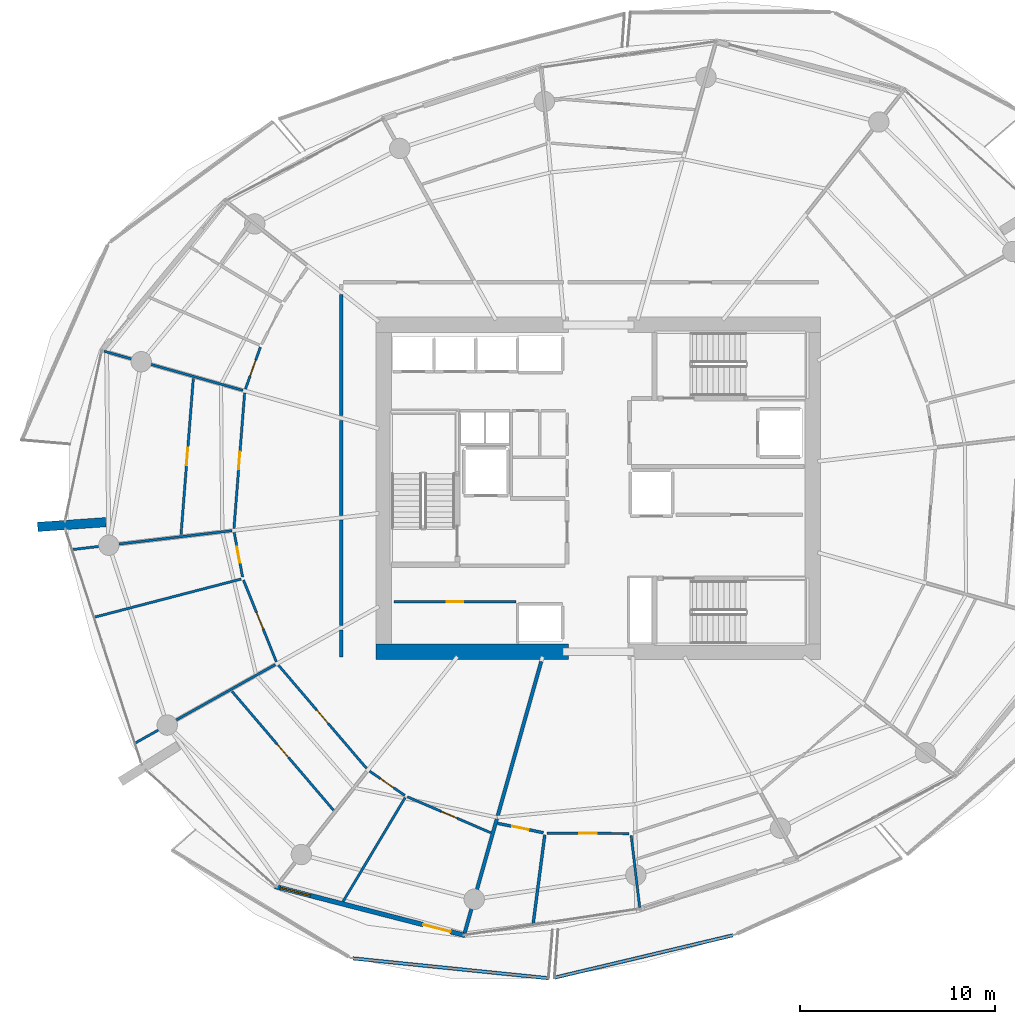
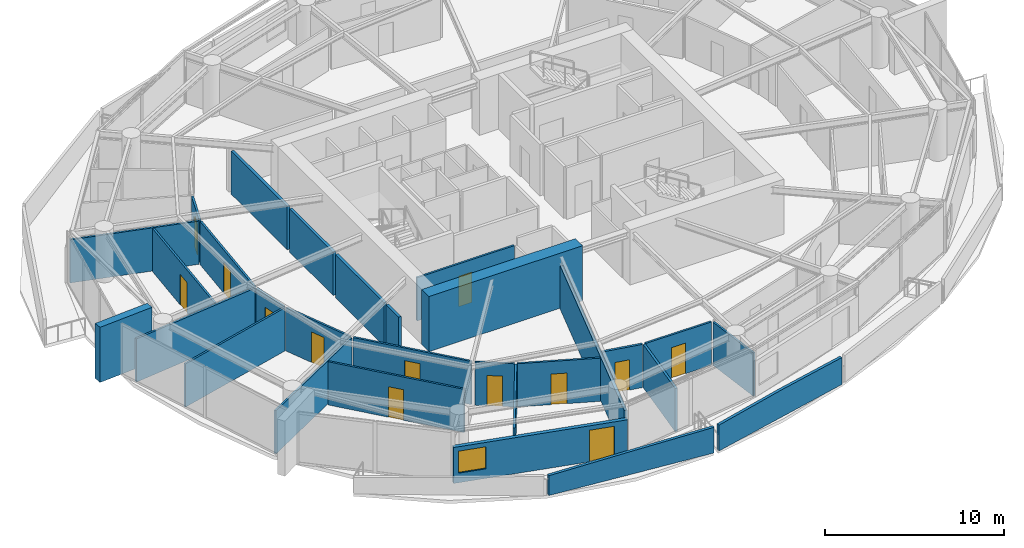
# One storey, part 11 of 20: 29 walls, 13 doors, 1 window, 14 openings.
"""IFC4 building model written with IfcOpenShell, lengths in metres."""

from ifc_helpers import new_model, si_unit, direction, frame, frame_2d, origin, place, context, subcontext, project, spatial, polyline, rectangle, outline, extrude, material, layer, layer_set, type_object, element, fill, save


model = new_model("IFC4")

# Units and contexts
model_context = context("Model", 3, precision=1e-05, world=origin(), true_north=direction((0.0, 1.0)))
body_context = subcontext(model_context, "Body", "Model", "MODEL_VIEW")
ifc_project = project(units=[si_unit("LENGTHUNIT", "METRE"), si_unit("AREAUNIT", "SQUARE_METRE"), si_unit("VOLUMEUNIT", "CUBIC_METRE"), si_unit("PLANEANGLEUNIT", "RADIAN"), si_unit("MASSUNIT", "GRAM", prefix="KILO")], contexts=[model_context])

# Site, building, storey
site_placement = place(None, origin())
site = spatial("IfcSite", under=ifc_project, at=site_placement, CompositionType="ELEMENT")
building_placement = place(site_placement, origin())
building = spatial("IfcBuilding", under=site, at=building_placement, Name="Kazma Halo Residences", CompositionType="ELEMENT")
storey_placement = place(building_placement, frame((0.0, 0.0, 169.050048828125)))
storey = spatial("IfcBuildingStorey", under=building, at=storey_placement, Name="L42", CompositionType="ELEMENT", Elevation=169.050048828125)

# Walls
ifc_material_1 = material(Name="White Concrete C50/60 Balustrade", Category="concrete")
ifc_layer_1 = layer(ifc_material_1, 0.179931640625)
ifc_layer_set_1 = layer_set([ifc_layer_1], Name="White Concrete C50/60 Balustrade")
wall_type_1 = type_object("IfcWallType", Name="WL-BAL-WAVE-180", PredefinedType="PARAPET", material=ifc_layer_set_1)
wall_1_placement = place(storey_placement, frame((35.814697265625, 17.83837890625, 0.0), z_axis=(0.0, 0.0, 1.0), x_axis=(0.994889887917, -0.100965889886, 0.0)))
element("IfcWall", 1, at=wall_1_placement, inside=storey, type_object=wall_type_1, Name="L42 white wave balustrade wall SW.2", PredefinedType="PARAPET", context=body_context, shape_type="SweptSolid", body=[
    extrude(outline(polyline([(0.0, 0.0), (10.10009765625, 0.0), (10.10009765625, 1.7470703125), (5.050048828125, 1.56201171875), (0.0, 1.347900390625), (0.0, 0.0)])), frame((0.0, 0.08984375, 0.0), z_axis=(0.0, -1.0, 0.0), x_axis=(1.0, 0.0, 0.0)), (0.0, 0.0, 1.0), 0.179931640625),
])
wall_2_placement = place(storey_placement, frame((46.175048828125, 16.849365234375, 0.0), z_axis=(0.0, 0.0, 1.0), x_axis=(0.972947039014, 0.231028265098, 0.0)))
element("IfcWall", 2, at=wall_2_placement, inside=storey, type_object=wall_type_1, Name="L42 white wave balustrade wall SSE.1", PredefinedType="PARAPET", context=body_context, shape_type="SweptSolid", body=[
    extrude(outline(polyline([(0.0, 0.0), (9.4189453125, 0.0), (9.418701171875, 1.83203125), (4.70947265625, 1.85302734375), (0.0, 1.755859375), (0.0, 0.0)])), frame((0.0, 0.08984375, 0.0), z_axis=(0.0, -1.0, 0.0), x_axis=(1.0, 0.0, 0.0)), (0.0, 0.0, 1.0), 0.179931640625),
])
ifc_material_2 = material(Name="Pale Concrete C60/75", Category="concrete")
ifc_layer_2 = layer(ifc_material_2, 0.47998046875)
ifc_layer_set_2 = layer_set([ifc_layer_2], Name="Pale Concrete C60/75")
wall_type_2 = type_object("IfcWallType", Name="WL-BLADE-480", PredefinedType="SOLIDWALL", material=ifc_layer_set_2)
wall_3_placement = place(storey_placement, frame((23.10302734375, 40.259033203125, 0.0), z_axis=(0.0, 0.0, 1.0), x_axis=(-0.997564163539, -0.069754853754, 0.0)))
element("IfcWall", 3, at=wall_3_placement, inside=storey, type_object=wall_type_2, Name="L42 pale concrete structural blade fin wall BW-02", PredefinedType="SOLIDWALL", context=body_context, shape_type="SweptSolid", body=[
    extrude(rectangle(XDim=3.5, YDim=0.47998046875, at=frame_2d((1.75, 0.0))), origin(), (0.0, 0.0, 1.0), 3.75),
])
ifc_material_3 = material(Name="Concrete C80/95", Category="concrete")
ifc_layer_3 = layer(ifc_material_3, 0.800048828125)
ifc_layer_set_3 = layer_set([ifc_layer_3], Name="Concrete C80/95")
wall_type_3 = type_object("IfcWallType", Name="WL-CORE-800", PredefinedType="SHEAR", material=ifc_layer_set_3)
wall_4_placement = place(storey_placement, frame((37.0, 33.60009765625, 0.0), z_axis=(0.0, 0.0, 1.0), x_axis=(1.0, 0.0, 0.0)))
element("IfcWall", 4, at=wall_4_placement, inside=storey, type_object=wall_type_3, Name="L42 central core shear wall SW", PredefinedType="SHEAR", context=body_context, shape_type="SweptSolid", body=[
    extrude(rectangle(XDim=9.89990234375, YDim=0.800048828125, at=frame_2d((4.949951171875, 0.0))), origin(), (0.0, 0.0, 1.0), 3.75),
])
ifc_material_4 = material(Name="Acoustic Twin-Stud Gypsum")
ifc_layer_4 = layer(ifc_material_4, 0.179931640625)
ifc_layer_set_4 = layer_set([ifc_layer_4], Name="Acoustic Twin-Stud Gypsum")
wall_type_4 = type_object("IfcWallType", Name="WL-DEM-180", PredefinedType="PARTITIONING", material=ifc_layer_set_4)
wall_5_placement = place(storey_placement, frame((45.48828125, 33.093994140625, 0.0), z_axis=(0.0, 0.0, 1.0), x_axis=(-0.271442952208, -0.962454530717, 0.0)))
element("IfcWall", 5, at=wall_5_placement, inside=storey, type_object=wall_type_4, Name="L42 apartment demising radial wall 10", PredefinedType="PARTITIONING", context=body_context, shape_type="SweptSolid", body=[
    extrude(rectangle(XDim=14.486083984375, YDim=0.179931640625, at=frame_2d((7.2431640625, 0.0))), origin(), (0.0, 0.0, 1.0), 2.93994140625),
])
wall_6_placement = place(storey_placement, frame((35.199951171875, 51.970703125, 0.0), z_axis=(0.0, 0.0, 1.0), x_axis=(0.0, -1.0, 0.0)))
element("IfcWall", 6, at=wall_6_placement, inside=storey, type_object=wall_type_4, Name="L42 Apartment 1 inner wall 5", PredefinedType="PARTITIONING", context=body_context, shape_type="SweptSolid", body=[
    extrude(rectangle(XDim=6.24072265625, YDim=0.179931640625, at=frame_2d((3.120361328125, 0.0))), origin(), (0.0, 0.0, 1.0), 2.93994140625),
])
wall_7_placement = place(storey_placement, frame((35.199951171875, 45.489990234375, 0.0), z_axis=(0.0, 0.0, 1.0), x_axis=(0.0, -1.0, 0.0)))
element("IfcWall", 7, at=wall_7_placement, inside=storey, type_object=wall_type_4, Name="L42 Apartment 1 inner wall 6", PredefinedType="PARTITIONING", context=body_context, shape_type="SweptSolid", body=[
    extrude(rectangle(XDim=4.885009765625, YDim=0.179931640625, at=frame_2d((2.4423828125, 0.0))), origin(), (0.0, 0.0, 1.0), 2.93994140625),
])
wall_8_placement = place(storey_placement, frame((35.199951171875, 40.364990234375, 0.0), z_axis=(0.0, 0.0, 1.0), x_axis=(0.0, -1.0, 0.0)))
element("IfcWall", 8, at=wall_8_placement, inside=storey, type_object=wall_type_4, Name="L42 Apartment 1 inner wall 7", PredefinedType="PARTITIONING", context=body_context, shape_type="SweptSolid", body=[
    extrude(rectangle(XDim=5.413330078125, YDim=0.179931640625, at=frame_2d((2.70654296875, 0.0))), origin(), (0.0, 0.0, 1.0), 2.93994140625),
])
wall_9_placement = place(storey_placement, frame((35.199951171875, 34.711669921875, 0.0), z_axis=(0.0, 0.0, 1.0), x_axis=(0.0, -1.0, 0.0)))
element("IfcWall", 9, at=wall_9_placement, inside=storey, type_object=wall_type_4, Name="L42 Apartment 1 inner wall 8", PredefinedType="PARTITIONING", context=body_context, shape_type="SweptSolid", body=[
    extrude(rectangle(XDim=1.3916015625, YDim=0.179931640625, at=frame_2d((0.69580078125, 0.0))), origin(), (0.0, 0.0, 1.0), 2.93994140625),
])

# Wall, openings, door, window
ifc_material_5 = material(Name="Insulated Pale-Metal Composite Wall")
ifc_layer_5 = layer(ifc_material_5, 0.239990234375)
ifc_layer_set_5 = layer_set([ifc_layer_5], Name="Insulated Pale-Metal Composite Wall")
wall_type_5 = type_object("IfcWallType", Name="WL-EXT-HOST-240", PredefinedType="SOLIDWALL", material=ifc_layer_set_5)
wall_10_placement = place(storey_placement, frame((31.807861328125, 21.5341796875, 0.0), z_axis=(0.0, 0.0, 1.0), x_axis=(0.968379685126, -0.249481032214, 0.0)))
wall_10 = element("IfcWall", 10, at=wall_10_placement, inside=storey, type_object=wall_type_5, Name="L42 exterior terrace-access wall B10", PredefinedType="SOLIDWALL", context=body_context, shape_type="SweptSolid", body=[
    extrude(rectangle(XDim=10.08154296875, YDim=0.239990234375, at=frame_2d((5.040771484375, 0.0))), origin(), (0.0, 0.0, 1.0), 2.449951171875),
])
opening_1_placement = place(wall_10_placement, frame((7.861572265625, 0.0, 0.0)))
opening_1 = element("IfcOpeningElement", 11, at=opening_1_placement, cuts=wall_10, Name="Opening DTR-1600", PredefinedType="OPENING", context=body_context, shape_type="SweptSolid", body=[
    extrude(rectangle(XDim=1.449951171875, YDim=2.14990234375, at=frame_2d((0.72509765625, 1.074951171875))), frame((0.0, 0.1298828125, 0.0), z_axis=(0.0, -1.0, 0.0), x_axis=(1.0, 0.0, 0.0)), (0.0, 0.0, 1.0), 0.260009765625),
])
opening_2_placement = place(wall_10_placement, frame((0.280029296875, 0.0, 0.64990234375)))
opening_2 = element("IfcOpeningElement", 12, at=opening_2_placement, cuts=wall_10, Name="Opening W-1800", PredefinedType="OPENING", context=body_context, shape_type="SweptSolid", body=[
    extrude(rectangle(XDim=1.60009765625, YDim=1.5, at=frame_2d((0.800048828125, 0.75))), frame((0.0, 0.1298828125, 0.0), z_axis=(0.0, -1.0, 0.0), x_axis=(1.0, 0.0, 0.0)), (0.0, 0.0, 1.0), 0.260009765625),
])
ifc_material_6 = material(Name="Aluminium AW-6063 T6 Double-Glazed Terrace Door", Category="aluminium")
door_type_1 = type_object("IfcDoorType", Name="DR-EXT-TERR-1600", OperationType="NOTDEFINED", PredefinedType="DOOR", material=ifc_material_6)
door_1_placement = place(opening_1_placement, origin())
door_1 = element("IfcDoor", 13, at=door_1_placement, inside=storey, type_object=door_type_1, Name="L42 B10 balcony terrace door", OperationType="DOUBLE_DOOR_SLIDING", OverallHeight=2.14990234375, OverallWidth=1.449951171875, PredefinedType="DOOR", context=body_context, shape_type="SweptSolid", body=[
    extrude(rectangle(XDim=1.449951171875, YDim=2.14990234375, at=frame_2d((0.72509765625, 1.074951171875))), frame((0.0, 0.02490234375, 0.0), z_axis=(0.0, -1.0, 0.0), x_axis=(1.0, 0.0, 0.0)), (0.0, 0.0, 1.0), 0.050048828125),
])
fill(opening_1, door_1)
ifc_material_7 = material(Name="Clear Triple-Silver Low-E Glass in Aluminium AW-6063 T6 Frame", Category="aluminium")
window_type = type_object("IfcWindowType", Name="WIN-RES-1800", PartitioningType="DOUBLE_PANEL_VERTICAL", PredefinedType="WINDOW", material=ifc_material_7)
window_placement = place(opening_2_placement, origin())
window = element("IfcWindow", 14, at=window_placement, inside=storey, type_object=window_type, Name="L42 B10 apartment window", OverallHeight=1.5, OverallWidth=1.60009765625, PartitioningType="SINGLE_PANEL", PredefinedType="WINDOW", context=body_context, shape_type="SweptSolid", body=[
    extrude(rectangle(XDim=1.60009765625, YDim=1.5, at=frame_2d((0.800048828125, 0.75))), frame((0.0, 0.030029296875, 0.0), z_axis=(0.0, -1.0, 0.0), x_axis=(1.0, 0.0, 0.0)), (0.0, 0.0, 1.0), 0.06005859375),
])
fill(opening_2, window)

# Wall, opening, door
ifc_material_8 = material(Name="Gypsum Plasterboard Partition")
ifc_layer_6 = layer(ifc_material_8, 0.125)
ifc_layer_set_6 = layer_set([ifc_layer_6], Name="Gypsum Plasterboard Partition")
wall_type_6 = type_object("IfcWallType", Name="WL-PART-125", PredefinedType="PARTITIONING", material=ifc_layer_set_6)
wall_11_placement = place(storey_placement, frame((37.919921875, 36.179931640625, 0.0), z_axis=(0.0, 0.0, 1.0), x_axis=(1.0, 0.0, 0.0)))
wall_11 = element("IfcWall", 15, at=wall_11_placement, inside=storey, type_object=wall_type_6, Name="L42 reclaimed south front wall", PredefinedType="PARTITIONING", context=body_context, shape_type="SweptSolid", body=[
    extrude(rectangle(XDim=6.260009765625, YDim=0.125, at=frame_2d((3.1298828125, 0.0))), origin(), (0.0, 0.0, 1.0), 2.93994140625),
])
opening_3_placement = place(wall_11_placement, frame((2.705078125, 0.0, 0.0)))
opening_3 = element("IfcOpeningElement", 16, at=opening_3_placement, cuts=wall_11, Name="Opening DS-850", PredefinedType="OPENING", context=body_context, shape_type="SweptSolid", body=[
    extrude(rectangle(XDim=0.85009765625, YDim=2.06005859375, at=frame_2d((0.425048828125, 1.030029296875))), frame((0.0, 0.072509765625, 0.0), z_axis=(0.0, -1.0, 0.0), x_axis=(1.0, 0.0, 0.0)), (0.0, 0.0, 1.0), 0.14501953125),
])
ifc_material_9 = material(Name="Painted Steel Access Leaf", Category="steel")
door_type_2 = type_object("IfcDoorType", Name="DR-SVC-850", OperationType="NOTDEFINED", PredefinedType="DOOR", material=ifc_material_9)
door_2_placement = place(opening_3_placement, origin())
door_2 = element("IfcDoor", 17, at=door_2_placement, inside=storey, type_object=door_type_2, Name="L42 reclaimed south service door", OperationType="SINGLE_SWING_LEFT", OverallHeight=2.06005859375, OverallWidth=0.85009765625, PredefinedType="DOOR", context=body_context, shape_type="SweptSolid", body=[
    extrude(rectangle(XDim=0.85009765625, YDim=2.06005859375, at=frame_2d((0.425048828125, 1.030029296875))), frame((0.0, 0.02490234375, 0.0), z_axis=(0.0, -1.0, 0.0), x_axis=(1.0, 0.0, 0.0)), (0.0, 0.0, 1.0), 0.050048828125),
])
fill(opening_3, door_2)

wall_12_placement = place(storey_placement, frame((31.0537109375, 49.25439453125, 0.0), z_axis=(0.0, 0.0, 1.0), x_axis=(-0.335247594753, -0.942130060136, 0.0)))
wall_12 = element("IfcWall", 18, at=wall_12_placement, inside=storey, type_object=wall_type_6, Name="L42 Apartment 1 Primary Bedroom hall wall", PredefinedType="PARTITIONING", context=body_context, shape_type="SweptSolid", body=[
    extrude(rectangle(XDim=2.287353515625, YDim=0.125, at=frame_2d((1.1435546875, 0.0))), origin(), (0.0, 0.0, 1.0), 2.93994140625),
])
opening_4_placement = place(wall_12_placement, frame((0.71875, 0.0, 0.0)))
opening_4 = element("IfcOpeningElement", 19, at=opening_4_placement, cuts=wall_12, Name="Opening DB-900", PredefinedType="OPENING", context=body_context, shape_type="SweptSolid", body=[
    extrude(rectangle(XDim=0.85009765625, YDim=2.06005859375, at=frame_2d((0.425048828125, 1.030029296875))), frame((0.0, 0.072509765625, 0.0), z_axis=(0.0, -1.0, 0.0), x_axis=(1.0, 0.0, 0.0)), (0.0, 0.0, 1.0), 0.14501953125),
])
ifc_material_10 = material(Name="Moisture-Sealed Timber Leaf", Category="wood")
door_type_3 = type_object("IfcDoorType", Name="DR-BTH-900", OperationType="NOTDEFINED", PredefinedType="DOOR", material=ifc_material_10)
door_3_placement = place(opening_4_placement, origin())
door_3 = element("IfcDoor", 20, at=door_3_placement, inside=storey, type_object=door_type_3, Name="L42 Apartment 1 Primary Bedroom door", OperationType="SINGLE_SWING_LEFT", OverallHeight=2.06005859375, OverallWidth=0.85009765625, PredefinedType="DOOR", context=body_context, shape_type="SweptSolid", body=[
    extrude(rectangle(XDim=0.85009765625, YDim=2.06005859375, at=frame_2d((0.425048828125, 1.030029296875))), frame((0.0, 0.02490234375, 0.0), z_axis=(0.0, -1.0, 0.0), x_axis=(1.0, 0.0, 0.0)), (0.0, 0.0, 1.0), 0.050048828125),
])
fill(opening_4, door_3)

# Wall
wall_13_placement = place(storey_placement, frame((30.156982421875, 47.0322265625, 0.0), z_axis=(0.0, 0.0, 1.0), x_axis=(-0.962456736489, 0.271435131084, 0.0)))
element("IfcWall", 21, at=wall_13_placement, inside=storey, type_object=wall_type_6, Name="L42 Apartment 1 radial partition 6", PredefinedType="PARTITIONING", context=body_context, shape_type="SweptSolid", body=[
    extrude(rectangle(XDim=7.412353515625, YDim=0.125, at=frame_2d((3.7060546875, 0.0))), origin(), (0.0, 0.0, 1.0), 2.93994140625),
])

# Wall, opening, door
wall_14_placement = place(storey_placement, frame((30.24462890625, 46.8955078125, 0.0), z_axis=(0.0, 0.0, 1.0), x_axis=(-0.078444324085, -0.996918496177, 0.0)))
wall_14 = element("IfcWall", 22, at=wall_14_placement, inside=storey, type_object=wall_type_6, Name="L42 Apartment 1 Primary Study hall wall", PredefinedType="PARTITIONING", context=body_context, shape_type="SweptSolid", body=[
    extrude(rectangle(XDim=6.974609375, YDim=0.125, at=frame_2d((3.4873046875, 0.0))), origin(), (0.0, 0.0, 1.0), 2.93994140625),
])
opening_5_placement = place(wall_14_placement, frame((3.037353515625, 0.0, 0.0)))
opening_5 = element("IfcOpeningElement", 23, at=opening_5_placement, cuts=wall_14, Name="Opening DI-950", PredefinedType="OPENING", context=body_context, shape_type="SweptSolid", body=[
    extrude(rectangle(XDim=0.89990234375, YDim=2.080078125, at=frame_2d((0.449951171875, 1.0400390625))), frame((0.0, 0.072509765625, 0.0), z_axis=(0.0, -1.0, 0.0), x_axis=(1.0, 0.0, 0.0)), (0.0, 0.0, 1.0), 0.14501953125),
])
ifc_material_11 = material(Name="Timber Veneer Flush Leaf", Category="wood")
door_type_4 = type_object("IfcDoorType", Name="DR-INT-950", OperationType="NOTDEFINED", PredefinedType="DOOR", material=ifc_material_11)
door_4_placement = place(opening_5_placement, origin())
door_4 = element("IfcDoor", 24, at=door_4_placement, inside=storey, type_object=door_type_4, Name="L42 Apartment 1 Primary Study door", OperationType="SINGLE_SWING_LEFT", OverallHeight=2.080078125, OverallWidth=0.89990234375, PredefinedType="DOOR", context=body_context, shape_type="SweptSolid", body=[
    extrude(rectangle(XDim=0.89990234375, YDim=2.080078125, at=frame_2d((0.449951171875, 1.0400390625))), frame((0.0, 0.02490234375, 0.0), z_axis=(0.0, -1.0, 0.0), x_axis=(1.0, 0.0, 0.0)), (0.0, 0.0, 1.0), 0.050048828125),
])
fill(opening_5, door_4)

wall_15_placement = place(storey_placement, frame((27.607666015625, 47.63916015625, 0.0), z_axis=(0.0, 0.0, 1.0), x_axis=(-0.078490541144, -0.996914858426, 0.0)))
wall_15 = element("IfcWall", 25, at=wall_15_placement, inside=storey, type_object=wall_type_6, Name="L42 Apartment 1 Secondary Master Bedroom divider wall", PredefinedType="PARTITIONING", context=body_context, shape_type="SweptSolid", body=[
    extrude(rectangle(XDim=8.043701171875, YDim=0.125, at=frame_2d((4.02197265625, 0.0))), origin(), (0.0, 0.0, 1.0), 2.93994140625),
])
opening_6_placement = place(wall_15_placement, frame((3.57177734375, 0.0, 0.0)))
opening_6 = element("IfcOpeningElement", 26, at=opening_6_placement, cuts=wall_15, Name="Opening DI-950", PredefinedType="OPENING", context=body_context, shape_type="SweptSolid", body=[
    extrude(rectangle(XDim=0.89990234375, YDim=2.080078125, at=frame_2d((0.449951171875, 1.0400390625))), frame((0.0, 0.072509765625, 0.0), z_axis=(0.0, -1.0, 0.0), x_axis=(1.0, 0.0, 0.0)), (0.0, 0.0, 1.0), 0.14501953125),
])
door_5_placement = place(opening_6_placement, origin())
door_5 = element("IfcDoor", 27, at=door_5_placement, inside=storey, type_object=door_type_4, Name="L42 Apartment 1 Secondary Master Bedroom door", OperationType="SINGLE_SWING_RIGHT", OverallHeight=2.080078125, OverallWidth=0.89990234375, PredefinedType="DOOR", context=body_context, shape_type="SweptSolid", body=[
    extrude(rectangle(XDim=0.89990234375, YDim=2.080078125, at=frame_2d((0.449951171875, 1.0400390625))), frame((0.0, 0.02490234375, 0.0), z_axis=(0.0, -1.0, 0.0), x_axis=(1.0, 0.0, 0.0)), (0.0, 0.0, 1.0), 0.050048828125),
])
fill(opening_6, door_5)

# Walls
wall_16_placement = place(storey_placement, frame((29.589599609375, 39.82080078125, 0.0), z_axis=(0.0, 0.0, 1.0), x_axis=(-0.993070354128, -0.117521367213, 0.0)))
element("IfcWall", 28, at=wall_16_placement, inside=storey, type_object=wall_type_6, Name="L42 Apartment 1 radial partition 7", PredefinedType="PARTITIONING", context=body_context, shape_type="SweptSolid", body=[
    extrude(rectangle(XDim=8.247314453125, YDim=0.125, at=frame_2d((4.12353515625, 0.0))), origin(), (0.0, 0.0, 1.0), 2.93994140625),
])
wall_17_placement = place(storey_placement, frame((30.067626953125, 37.335693359375, 0.0), z_axis=(0.0, 0.0, 1.0), x_axis=(-0.967797769308, -0.251728976723, 0.0)))
element("IfcWall", 29, at=wall_17_placement, inside=storey, type_object=wall_type_6, Name="L42 Apartment 1 mid-bay wall 7", PredefinedType="PARTITIONING", context=body_context, shape_type="SweptSolid", body=[
    extrude(rectangle(XDim=7.788818359375, YDim=0.125, at=frame_2d((3.89453125, 0.0))), origin(), (0.0, 0.0, 1.0), 2.93994140625),
])

# Wall, opening, door
wall_18_placement = place(storey_placement, frame((29.707275390625, 39.734375, 0.0), z_axis=(0.0, 0.0, 1.0), x_axis=(0.185057746292, -0.9827276482, 0.0)))
wall_18 = element("IfcWall", 30, at=wall_18_placement, inside=storey, type_object=wall_type_6, Name="L42 Apartment 1 East Wine Pantry Store hall wall", PredefinedType="PARTITIONING", context=body_context, shape_type="SweptSolid", body=[
    extrude(rectangle(XDim=2.337646484375, YDim=0.125, at=frame_2d((1.1689453125, 0.0))), origin(), (0.0, 0.0, 1.0), 2.93994140625),
])
opening_7_placement = place(wall_18_placement, frame((0.743896484375, 0.0, 0.0)))
opening_7 = element("IfcOpeningElement", 31, at=opening_7_placement, cuts=wall_18, Name="Opening DB-900", PredefinedType="OPENING", context=body_context, shape_type="SweptSolid", body=[
    extrude(rectangle(XDim=0.85009765625, YDim=2.06005859375, at=frame_2d((0.425048828125, 1.030029296875))), frame((0.0, 0.072509765625, 0.0), z_axis=(0.0, -1.0, 0.0), x_axis=(1.0, 0.0, 0.0)), (0.0, 0.0, 1.0), 0.14501953125),
])
door_6_placement = place(opening_7_placement, origin())
door_6 = element("IfcDoor", 32, at=door_6_placement, inside=storey, type_object=door_type_3, Name="L42 Apartment 1 East Wine Pantry Store door", OperationType="SINGLE_SWING_RIGHT", OverallHeight=2.06005859375, OverallWidth=0.85009765625, PredefinedType="DOOR", context=body_context, shape_type="SweptSolid", body=[
    extrude(rectangle(XDim=0.85009765625, YDim=2.06005859375, at=frame_2d((0.425048828125, 1.030029296875))), frame((0.0, 0.02490234375, 0.0), z_axis=(0.0, -1.0, 0.0), x_axis=(1.0, 0.0, 0.0)), (0.0, 0.0, 1.0), 0.050048828125),
])
fill(opening_7, door_6)

wall_19_placement = place(storey_placement, frame((30.184814453125, 37.2841796875, 0.0), z_axis=(0.0, 0.0, 1.0), x_axis=(0.373193309098, -0.927753606322, 0.0)))
wall_19 = element("IfcWall", 33, at=wall_19_placement, inside=storey, type_object=wall_type_6, Name="L42 Apartment 1 West Formal Dining Room hall wall", PredefinedType="PARTITIONING", context=body_context, shape_type="SweptSolid", body=[
    extrude(rectangle(XDim=4.5283203125, YDim=0.125, at=frame_2d((2.26416015625, 0.0))), origin(), (0.0, 0.0, 1.0), 2.93994140625),
])
opening_8_placement = place(wall_19_placement, frame((1.814208984375, 0.0, 0.0)))
opening_8 = element("IfcOpeningElement", 34, at=opening_8_placement, cuts=wall_19, Name="Opening DI-950", PredefinedType="OPENING", context=body_context, shape_type="SweptSolid", body=[
    extrude(rectangle(XDim=0.89990234375, YDim=2.080078125, at=frame_2d((0.449951171875, 1.0400390625))), frame((0.0, 0.072509765625, 0.0), z_axis=(0.0, -1.0, 0.0), x_axis=(1.0, 0.0, 0.0)), (0.0, 0.0, 1.0), 0.14501953125),
])
door_7_placement = place(opening_8_placement, origin())
door_7 = element("IfcDoor", 35, at=door_7_placement, inside=storey, type_object=door_type_4, Name="L42 Apartment 1 West Formal Dining Room door", OperationType="SINGLE_SWING_LEFT", OverallHeight=2.080078125, OverallWidth=0.89990234375, PredefinedType="DOOR", context=body_context, shape_type="SweptSolid", body=[
    extrude(rectangle(XDim=0.89990234375, YDim=2.080078125, at=frame_2d((0.449951171875, 1.0400390625))), frame((0.0, 0.02490234375, 0.0), z_axis=(0.0, -1.0, 0.0), x_axis=(1.0, 0.0, 0.0)), (0.0, 0.0, 1.0), 0.050048828125),
])
fill(opening_8, door_7)

# Wall
wall_20_placement = place(storey_placement, frame((31.82470703125, 32.94140625, 0.0), z_axis=(0.0, 0.0, 1.0), x_axis=(-0.872491881101, -0.488628608877, 0.0)))
element("IfcWall", 36, at=wall_20_placement, inside=storey, type_object=wall_type_6, Name="L42 Apartment 1 radial partition 8", PredefinedType="PARTITIONING", context=body_context, shape_type="SweptSolid", body=[
    extrude(rectangle(XDim=8.2470703125, YDim=0.125, at=frame_2d((4.12353515625, 0.0))), origin(), (0.0, 0.0, 1.0), 2.93994140625),
])

# Wall, opening, door
wall_21_placement = place(storey_placement, frame((31.9833984375, 32.90673828125, 0.0), z_axis=(0.0, 0.0, 1.0), x_axis=(0.649447060425, -0.76040680935, 0.0)))
wall_21 = element("IfcWall", 37, at=wall_21_placement, inside=storey, type_object=wall_type_6, Name="L42 Apartment 1 North Study hall wall", PredefinedType="PARTITIONING", context=body_context, shape_type="SweptSolid", body=[
    extrude(rectangle(XDim=6.974853515625, YDim=0.125, at=frame_2d((3.4873046875, 0.0))), origin(), (0.0, 0.0, 1.0), 2.93994140625),
])
opening_9_placement = place(wall_21_placement, frame((3.037353515625, 0.0, 0.0)))
opening_9 = element("IfcOpeningElement", 38, at=opening_9_placement, cuts=wall_21, Name="Opening DI-950", PredefinedType="OPENING", context=body_context, shape_type="SweptSolid", body=[
    extrude(rectangle(XDim=0.89990234375, YDim=2.080078125, at=frame_2d((0.449951171875, 1.0400390625))), frame((0.0, 0.072509765625, 0.0), z_axis=(0.0, -1.0, 0.0), x_axis=(1.0, 0.0, 0.0)), (0.0, 0.0, 1.0), 0.14501953125),
])
door_8_placement = place(opening_9_placement, origin())
door_8 = element("IfcDoor", 39, at=door_8_placement, inside=storey, type_object=door_type_4, Name="L42 Apartment 1 North Study door", OperationType="SINGLE_SWING_LEFT", OverallHeight=2.080078125, OverallWidth=0.89990234375, PredefinedType="DOOR", context=body_context, shape_type="SweptSolid", body=[
    extrude(rectangle(XDim=0.89990234375, YDim=2.080078125, at=frame_2d((0.449951171875, 1.0400390625))), frame((0.0, 0.02490234375, 0.0), z_axis=(0.0, -1.0, 0.0), x_axis=(1.0, 0.0, 0.0)), (0.0, 0.0, 1.0), 0.050048828125),
])
fill(opening_9, door_8)

wall_22_placement = place(storey_placement, frame((29.5927734375, 31.56787109375, 0.0), z_axis=(0.0, 0.0, 1.0), x_axis=(0.649460624158, -0.760395224649, 0.0)))
wall_22 = element("IfcWall", 40, at=wall_22_placement, inside=storey, type_object=wall_type_6, Name="L42 Apartment 1 South Master Bedroom divider wall", PredefinedType="PARTITIONING", context=body_context, shape_type="SweptSolid", body=[
    extrude(rectangle(XDim=8.043701171875, YDim=0.125, at=frame_2d((4.02197265625, 0.0))), origin(), (0.0, 0.0, 1.0), 2.93994140625),
])
opening_10_placement = place(wall_22_placement, frame((3.572021484375, 0.0, 0.0)))
opening_10 = element("IfcOpeningElement", 41, at=opening_10_placement, cuts=wall_22, Name="Opening DI-950", PredefinedType="OPENING", context=body_context, shape_type="SweptSolid", body=[
    extrude(rectangle(XDim=0.89990234375, YDim=2.080078125, at=frame_2d((0.449951171875, 1.0400390625))), frame((0.0, 0.072509765625, 0.0), z_axis=(0.0, -1.0, 0.0), x_axis=(1.0, 0.0, 0.0)), (0.0, 0.0, 1.0), 0.14501953125),
])
door_9_placement = place(opening_10_placement, origin())
door_9 = element("IfcDoor", 42, at=door_9_placement, inside=storey, type_object=door_type_4, Name="L42 Apartment 1 South Master Bedroom door", OperationType="SINGLE_SWING_RIGHT", OverallHeight=2.080078125, OverallWidth=0.89990234375, PredefinedType="DOOR", context=body_context, shape_type="SweptSolid", body=[
    extrude(rectangle(XDim=0.89990234375, YDim=2.080078125, at=frame_2d((0.449951171875, 1.0400390625))), frame((0.0, 0.02490234375, 0.0), z_axis=(0.0, -1.0, 0.0), x_axis=(1.0, 0.0, 0.0)), (0.0, 0.0, 1.0), 0.050048828125),
])
fill(opening_10, door_9)

# Wall
wall_23_placement = place(storey_placement, frame((38.492919921875, 26.095947265625, 0.0), z_axis=(0.0, 0.0, 1.0), x_axis=(-0.513080671857, -0.858340389453, 0.0)))
element("IfcWall", 43, at=wall_23_placement, inside=storey, type_object=wall_type_6, Name="L42 Apartment 1 mid-bay wall 9", PredefinedType="PARTITIONING", context=body_context, shape_type="SweptSolid", body=[
    extrude(rectangle(XDim=6.21923828125, YDim=0.125, at=frame_2d((3.109619140625, 0.0))), origin(), (0.0, 0.0, 1.0), 2.93994140625),
])

# Wall, opening, door
wall_24_placement = place(storey_placement, frame((36.6669921875, 27.462890625, 0.0), z_axis=(0.0, 0.0, 1.0), x_axis=(0.823476398479, -0.567350527582, 0.0)))
wall_24 = element("IfcWall", 44, at=wall_24_placement, inside=storey, type_object=wall_type_6, Name="L42 Apartment 1 Inner Wine Pantry Store hall wall", PredefinedType="PARTITIONING", context=body_context, shape_type="SweptSolid", body=[
    extrude(rectangle(XDim=2.193359375, YDim=0.125, at=frame_2d((1.0966796875, 0.0))), origin(), (0.0, 0.0, 1.0), 2.93994140625),
])
opening_11_placement = place(wall_24_placement, frame((0.671630859375, 0.0, 0.0)))
opening_11 = element("IfcOpeningElement", 45, at=opening_11_placement, cuts=wall_24, Name="Opening DB-900", PredefinedType="OPENING", context=body_context, shape_type="SweptSolid", body=[
    extrude(rectangle(XDim=0.85009765625, YDim=2.06005859375, at=frame_2d((0.425048828125, 1.030029296875))), frame((0.0, 0.072509765625, 0.0), z_axis=(0.0, -1.0, 0.0), x_axis=(1.0, 0.0, 0.0)), (0.0, 0.0, 1.0), 0.14501953125),
])
door_10_placement = place(opening_11_placement, origin())
door_10 = element("IfcDoor", 46, at=door_10_placement, inside=storey, type_object=door_type_3, Name="L42 Apartment 1 Inner Wine Pantry Store door", OperationType="SINGLE_SWING_RIGHT", OverallHeight=2.06005859375, OverallWidth=0.85009765625, PredefinedType="DOOR", context=body_context, shape_type="SweptSolid", body=[
    extrude(rectangle(XDim=0.85009765625, YDim=2.06005859375, at=frame_2d((0.425048828125, 1.030029296875))), frame((0.0, 0.02490234375, 0.0), z_axis=(0.0, -1.0, 0.0), x_axis=(1.0, 0.0, 0.0)), (0.0, 0.0, 1.0), 0.050048828125),
])
fill(opening_11, door_10)

wall_25_placement = place(storey_placement, frame((38.612548828125, 26.1416015625, 0.0), z_axis=(0.0, 0.0, 1.0), x_axis=(0.918381064076, -0.395697133105, 0.0)))
wall_25 = element("IfcWall", 47, at=wall_25_placement, inside=storey, type_object=wall_type_6, Name="L42 Apartment 1 Outer Formal Dining Room hall wall", PredefinedType="PARTITIONING", context=body_context, shape_type="SweptSolid", body=[
    extrude(rectangle(XDim=4.671875, YDim=0.125, at=frame_2d((2.3359375, 0.0))), origin(), (0.0, 0.0, 1.0), 2.93994140625),
])
opening_12_placement = place(wall_25_placement, frame((1.885986328125, 0.0, 0.0)))
opening_12 = element("IfcOpeningElement", 48, at=opening_12_placement, cuts=wall_25, Name="Opening DI-950", PredefinedType="OPENING", context=body_context, shape_type="SweptSolid", body=[
    extrude(rectangle(XDim=0.89990234375, YDim=2.080078125, at=frame_2d((0.449951171875, 1.0400390625))), frame((0.0, 0.072509765625, 0.0), z_axis=(0.0, -1.0, 0.0), x_axis=(1.0, 0.0, 0.0)), (0.0, 0.0, 1.0), 0.14501953125),
])
door_11_placement = place(opening_12_placement, origin())
door_11 = element("IfcDoor", 49, at=door_11_placement, inside=storey, type_object=door_type_4, Name="L42 Apartment 1 Outer Formal Dining Room door", OperationType="SINGLE_SWING_LEFT", OverallHeight=2.080078125, OverallWidth=0.89990234375, PredefinedType="DOOR", context=body_context, shape_type="SweptSolid", body=[
    extrude(rectangle(XDim=0.89990234375, YDim=2.080078125, at=frame_2d((0.449951171875, 1.0400390625))), frame((0.0, 0.02490234375, 0.0), z_axis=(0.0, -1.0, 0.0), x_axis=(1.0, 0.0, 0.0)), (0.0, 0.0, 1.0), 0.050048828125),
])
fill(opening_12, door_11)

wall_26_placement = place(storey_placement, frame((45.773681640625, 24.2802734375, 0.0), z_axis=(0.0, 0.0, 1.0), x_axis=(0.999981257614, -0.006122452106, 0.0)))
wall_26 = element("IfcWall", 50, at=wall_26_placement, inside=storey, type_object=wall_type_6, Name="L42 Apartment 2 Gourmet Kitchen hall wall", PredefinedType="PARTITIONING", context=body_context, shape_type="SweptSolid", body=[
    extrude(rectangle(XDim=4.226806640625, YDim=0.125, at=frame_2d((2.11328125, 0.0))), origin(), (0.0, 0.0, 1.0), 2.93994140625),
])
opening_13_placement = place(wall_26_placement, frame((1.663330078125, 0.0, 0.0)))
opening_13 = element("IfcOpeningElement", 51, at=opening_13_placement, cuts=wall_26, Name="Opening DI-950", PredefinedType="OPENING", context=body_context, shape_type="SweptSolid", body=[
    extrude(rectangle(XDim=0.89990234375, YDim=2.080078125, at=frame_2d((0.449951171875, 1.0400390625))), frame((0.0, 0.072509765625, 0.0), z_axis=(0.0, -1.0, 0.0), x_axis=(1.0, 0.0, 0.0)), (0.0, 0.0, 1.0), 0.14501953125),
])
door_12_placement = place(opening_13_placement, origin())
door_12 = element("IfcDoor", 52, at=door_12_placement, inside=storey, type_object=door_type_4, Name="L42 Apartment 2 Gourmet Kitchen door", OperationType="SINGLE_SWING_LEFT", OverallHeight=2.080078125, OverallWidth=0.89990234375, PredefinedType="DOOR", context=body_context, shape_type="SweptSolid", body=[
    extrude(rectangle(XDim=0.89990234375, YDim=2.080078125, at=frame_2d((0.449951171875, 1.0400390625))), frame((0.0, 0.02490234375, 0.0), z_axis=(0.0, -1.0, 0.0), x_axis=(1.0, 0.0, 0.0)), (0.0, 0.0, 1.0), 0.050048828125),
])
fill(opening_13, door_12)

# Wall
wall_27_placement = place(storey_placement, frame((50.1123046875, 24.154541015625, 0.0), z_axis=(0.0, 0.0, 1.0), x_axis=(0.117510984651, -0.99307158276, 0.0)))
element("IfcWall", 53, at=wall_27_placement, inside=storey, type_object=wall_type_6, Name="L42 Apartment 2 radial partition 11", PredefinedType="PARTITIONING", context=body_context, shape_type="SweptSolid", body=[
    extrude(rectangle(XDim=3.7646484375, YDim=0.125, at=frame_2d((1.88232421875, 0.0))), origin(), (0.0, 0.0, 1.0), 2.93994140625),
])

# Wall, opening, door
ifc_material_12 = material(Name="Moisture-Resistant Gypsum")
ifc_layer_7 = layer(ifc_material_12, 0.14990234375)
ifc_layer_set_7 = layer_set([ifc_layer_7], Name="Moisture-Resistant Gypsum")
wall_type_7 = type_object("IfcWallType", Name="WL-WET-150", PredefinedType="PARTITIONING", material=ifc_layer_set_7)
wall_28_placement = place(storey_placement, frame((43.247314453125, 24.78076171875, 0.0), z_axis=(0.0, 0.0, 1.0), x_axis=(0.979581104341, -0.201049396961, 0.0)))
wall_28 = element("IfcWall", 54, at=wall_28_placement, inside=storey, type_object=wall_type_7, Name="L42 Apartment 2 Guest Bathroom hall wall", PredefinedType="PARTITIONING", context=body_context, shape_type="SweptSolid", body=[
    extrude(rectangle(XDim=2.39697265625, YDim=0.14990234375, at=frame_2d((1.198486328125, 0.0))), origin(), (0.0, 0.0, 1.0), 2.93994140625),
])
opening_14_placement = place(wall_28_placement, frame((0.7734375, 0.0, 0.0)))
opening_14 = element("IfcOpeningElement", 55, at=opening_14_placement, cuts=wall_28, Name="Opening DB-900", PredefinedType="OPENING", context=body_context, shape_type="SweptSolid", body=[
    extrude(rectangle(XDim=0.85009765625, YDim=2.06005859375, at=frame_2d((0.425048828125, 1.030029296875))), frame((0.0, 0.0849609375, 0.0), z_axis=(0.0, -1.0, 0.0), x_axis=(1.0, 0.0, 0.0)), (0.0, 0.0, 1.0), 0.169921875),
])
door_13_placement = place(opening_14_placement, origin())
door_13 = element("IfcDoor", 56, at=door_13_placement, inside=storey, type_object=door_type_3, Name="L42 Apartment 2 Guest Bathroom door", OperationType="SINGLE_SWING_LEFT", OverallHeight=2.06005859375, OverallWidth=0.85009765625, PredefinedType="DOOR", context=body_context, shape_type="SweptSolid", body=[
    extrude(rectangle(XDim=0.85009765625, YDim=2.06005859375, at=frame_2d((0.425048828125, 1.030029296875))), frame((0.0, 0.02490234375, 0.0), z_axis=(0.0, -1.0, 0.0), x_axis=(1.0, 0.0, 0.0)), (0.0, 0.0, 1.0), 0.050048828125),
])
fill(opening_14, door_13)

# Wall
wall_29_placement = place(storey_placement, frame((45.672119140625, 24.191650390625, 0.0), z_axis=(0.0, 0.0, 1.0), x_axis=(-0.129620296369, -0.991563703838, 0.0)))
element("IfcWall", 57, at=wall_29_placement, inside=storey, type_object=wall_type_7, Name="L42 Apartment 2 Guest Bathroom side wall", PredefinedType="PARTITIONING", context=body_context, shape_type="SweptSolid", body=[
    extrude(rectangle(XDim=4.640869140625, YDim=0.14990234375, at=frame_2d((2.3203125, 0.0))), origin(), (0.0, 0.0, 1.0), 2.93994140625),
])

save(model, "model.ifc")
